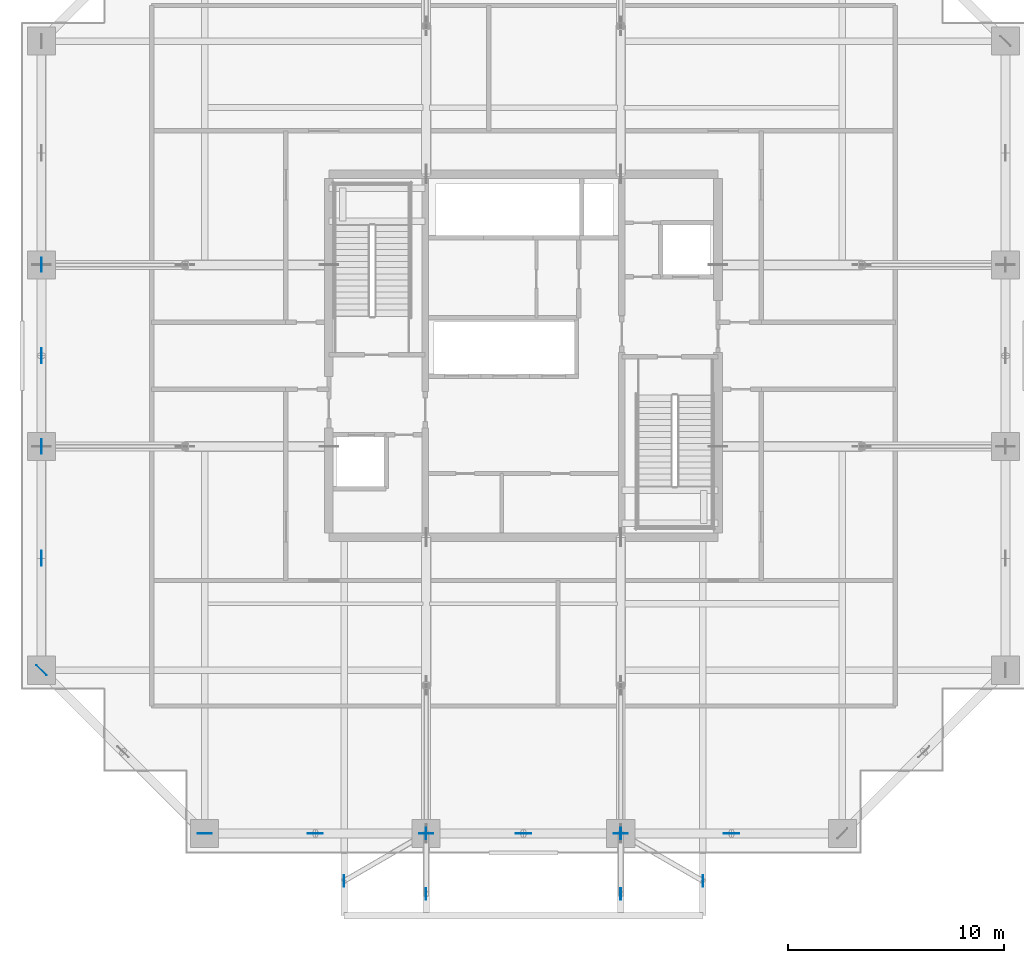
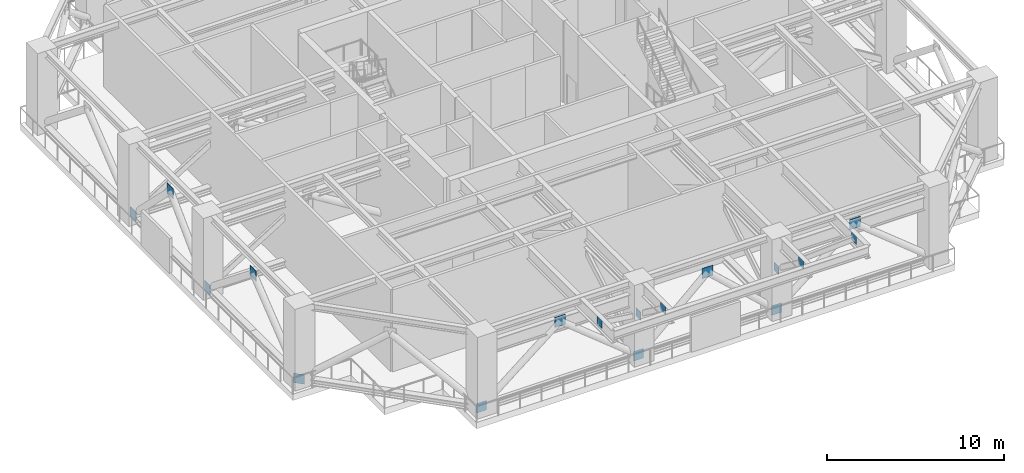
# One storey, part 11 of 22: 17 plates.
"""IFC4 building model written with IfcOpenShell, lengths in metres."""

from ifc_helpers import new_model, si_unit, direction, frame, origin, origin_2d, place, context, subcontext, project, spatial, rectangle, extrude, source, transform, mapped, material, layer, layer_set, type_object, element, save


model = new_model("IFC4")

# Units and contexts
model_context = context("Model", 3, precision=1e-05, world=origin(), true_north=direction((0.0, 1.0)))
body_context = subcontext(model_context, "Body", "Model", "MODEL_VIEW")
ifc_project = project(units=[si_unit("LENGTHUNIT", "METRE"), si_unit("AREAUNIT", "SQUARE_METRE"), si_unit("VOLUMEUNIT", "CUBIC_METRE"), si_unit("PLANEANGLEUNIT", "RADIAN"), si_unit("MASSUNIT", "GRAM", prefix="KILO")], contexts=[model_context])

# Site, building, storey
site_placement = place(None, origin())
site = spatial("IfcSite", under=ifc_project, at=site_placement, CompositionType="ELEMENT")
building_placement = place(site_placement, origin())
building = spatial("IfcBuilding", under=site, at=building_placement, Name="Serunith Strait Residences", CompositionType="ELEMENT")
storey_placement = place(building_placement, frame((0.0, 0.0, 198.89990234375)))
storey = spatial("IfcBuildingStorey", under=building, at=storey_placement, Name="L50", CompositionType="ELEMENT", Elevation=198.89990234375)

# Plates
ifc_material = material(Name="Steel S460M", Category="steel")
ifc_layer = layer(ifc_material, 0.02490234375, Name="Steel S460M")
ifc_layer_set = layer_set([ifc_layer], Name="Steel S460M")
plate_type = type_object("IfcPlateType", Name="PLT-CAP-25", PredefinedType="SHEET", material=ifc_layer_set)
shared_shape_1 = source(origin(), body_context, "Body", "SweptSolid", [
    extrude(rectangle(XDim=0.699951171875, YDim=0.02490234375, at=origin_2d()), origin(), (0.0, 0.0, 1.0), 0.699951171875),
])
for number, where, z_axis, x_axis, name in (
    (1, (22.77490234375, 3.10009765625, 4.0400390625), (0.0, 0.0, 1.0), (1.0, 0.0, 0.0), "L50 Belt Truss Apex Gusset 01"),
    (2, (32.39990234375, 3.10009765625, 4.0400390625), (0.0, 0.0, 1.0), (1.0, 0.0, 0.0), "L50 Belt Truss Apex Gusset 02"),
    (3, (42.02490234375, 3.10009765625, 4.0400390625), (0.0, 0.0, 1.0), (1.0, 0.0, 0.0), "L50 Belt Truss Apex Gusset 03"),
    (4, (10.10009765625, 25.199951171875, 4.0400390625), (0.0, 0.0, 1.0), (0.0, -1.0, 0.0), "L50 Belt Truss Apex Gusset 14"),
    (5, (10.10009765625, 15.824951171875, 4.0400390625), (0.0, 0.0, 1.0), (0.0, -1.0, 0.0), "L50 Belt Truss Apex Gusset 15"),
):
    element("IfcPlate", number, at=place(storey_placement, frame(where, z_axis=z_axis, x_axis=x_axis)), inside=storey, type_object=plate_type, Name=name, PredefinedType="SHEET", context=body_context, shape_type="MappedRepresentation", body=[
        mapped(shared_shape_1, transform((0.0, 0.0, 0.0), scale=1.0)),
    ])
shared_shape_2 = source(origin(), body_context, "Body", "SweptSolid", [
    extrude(rectangle(XDim=0.64990234375, YDim=0.02490234375, at=origin_2d()), origin(), (0.0, 0.0, 1.0), 0.64990234375),
])
for number, where, z_axis, x_axis, name in (
    (6, (17.64990234375, 3.10009765625, -0.074951171875), (0.0, 0.0, 1.0), (1.0, 0.0, 0.0), "L50 Belt Truss Column Node Plate 01"),
    (7, (27.89990234375, 3.10009765625, -0.074951171875), (0.0, 0.0, 1.0), (1.0, 0.0, 0.0), "L50 Belt Truss Column Node Plate 02"),
    (8, (36.89990234375, 3.10009765625, -0.074951171875), (0.0, 0.0, 1.0), (1.0, 0.0, 0.0), "L50 Belt Truss Column Node Plate 03"),
    (9, (10.10009765625, 29.39990234375, -0.074951171875), (0.0, 0.0, 1.0), (0.0, -1.0, 0.0), "L50 Belt Truss Column Node Plate 14"),
    (10, (10.10009765625, 21.0, -0.074951171875), (0.0, 0.0, 1.0), (0.0, -1.0, 0.0), "L50 Belt Truss Column Node Plate 15"),
    (11, (10.10009765625, 10.64990234375, -0.074951171875), (0.0, 0.0, 1.0), (0.707106781187, -0.707106781187, 0.0), "L50 Belt Truss Column Node Plate 16"),
):
    element("IfcPlate", number, at=place(storey_placement, frame(where, z_axis=z_axis, x_axis=x_axis)), inside=storey, type_object=plate_type, Name=name, PredefinedType="SHEET", context=body_context, shape_type="MappedRepresentation", body=[
        mapped(shared_shape_2, transform((0.0, 0.0, 0.0), scale=1.0)),
    ])
shared_shape_3 = source(origin(), body_context, "Body", "SweptSolid", [
    extrude(rectangle(XDim=0.02490234375, YDim=0.550048828125, at=origin_2d()), origin(), (0.0, 0.0, 1.0), 0.550048828125),
])
for number, where, z_axis, x_axis, name in (
    (12, (27.89990234375, 0.300048828125, 4.88720703125), (0.0, 0.0, 1.0), (1.0, 0.0, 0.0), "Sky Pool Truss End Cap Plate 1"),
    (13, (27.89990234375, 3.10009765625, 2.787109375), (0.0, 0.0, 1.0), (1.0, 0.0, 0.0), "Sky Pool Knee Strut Root Gusset 1"),
    (14, (36.89990234375, 0.300048828125, 4.88720703125), (0.0, 0.0, 1.0), (1.0, 0.0, 0.0), "Sky Pool Truss End Cap Plate 2"),
    (15, (36.89990234375, 3.10009765625, 2.787109375), (0.0, 0.0, 1.0), (1.0, 0.0, 0.0), "Sky Pool Knee Strut Root Gusset 2"),
    (16, (24.10009765625, 0.89990234375, 4.88720703125), (0.0, 0.0, 1.0), (1.0, 0.0, 0.0), "Sky Pool Truss End Cap Plate 3"),
    (17, (40.699951171875, 0.89990234375, 4.88720703125), (0.0, 0.0, 1.0), (1.0, 0.0, 0.0), "Sky Pool Truss End Cap Plate 4"),
):
    element("IfcPlate", number, at=place(storey_placement, frame(where, z_axis=z_axis, x_axis=x_axis)), inside=storey, type_object=plate_type, Name=name, PredefinedType="SHEET", context=body_context, shape_type="MappedRepresentation", body=[
        mapped(shared_shape_3, transform((0.0, 0.0, 0.0), scale=1.0)),
    ])

save(model, "model.ifc")
